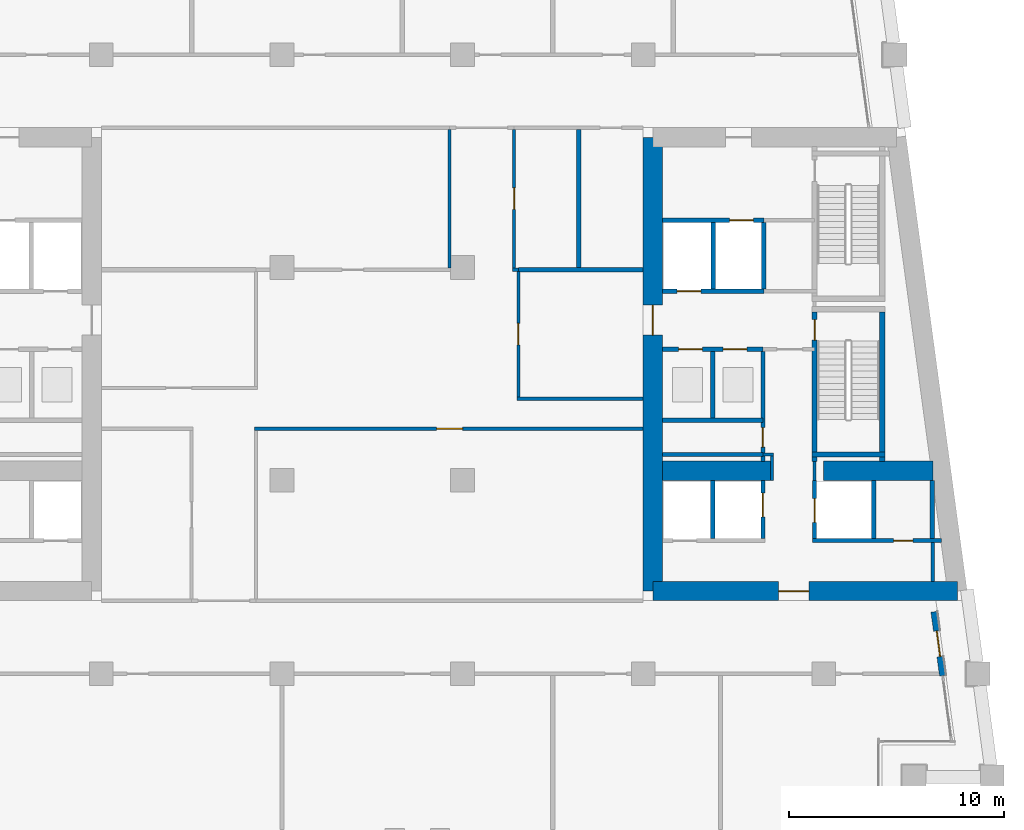
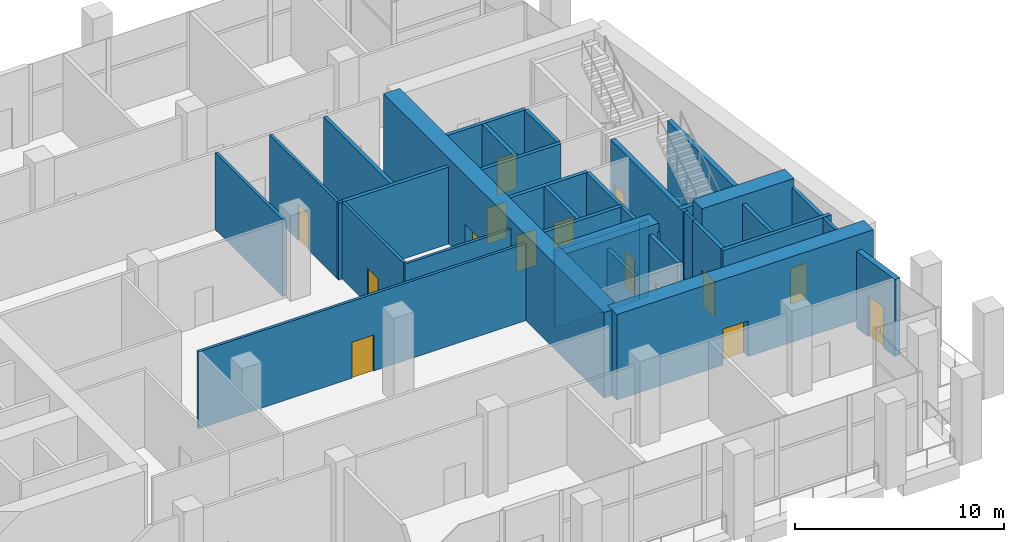
# One storey, part 9 of 16: 35 walls, 15 doors, 15 openings.
"""IFC4 building model written with IfcOpenShell, lengths in metres."""

from ifc_helpers import new_model, si_unit, direction, frame, frame_2d, origin, place, context, subcontext, project, spatial, rectangle, extrude, material, layer, layer_set, type_object, element, fill, save


model = new_model("IFC4")

# Units and contexts
model_context = context("Model", 3, precision=1e-05, world=origin(), true_north=direction((0.0, 1.0)))
body_context = subcontext(model_context, "Body", "Model", "MODEL_VIEW")
ifc_project = project(units=[si_unit("LENGTHUNIT", "METRE"), si_unit("AREAUNIT", "SQUARE_METRE"), si_unit("VOLUMEUNIT", "CUBIC_METRE"), si_unit("PLANEANGLEUNIT", "RADIAN"), si_unit("MASSUNIT", "GRAM", prefix="KILO")], contexts=[model_context])

# Site, building, storey
site_placement = place(None, origin())
site = spatial("IfcSite", under=ifc_project, at=site_placement, CompositionType="ELEMENT")
building_placement = place(site_placement, origin())
building = spatial("IfcBuilding", under=site, at=building_placement, Name="Candeia Pilgrim Tower and Theatre", CompositionType="ELEMENT")
storey_placement = place(building_placement, frame((0.0, 0.0, 192.199951171875)))
storey = spatial("IfcBuildingStorey", under=building, at=storey_placement, Name="L46", CompositionType="ELEMENT", Elevation=192.199951171875)

# Wall, opening, door
ifc_material_1 = material(Name="Concrete C60/75", Category="concrete")
ifc_layer_1 = layer(ifc_material_1, 0.89990234375)
ifc_layer_set_1 = layer_set([ifc_layer_1], Name="Core wall 900 C60/75")
wall_type_1 = type_object("IfcWallType", Name="Core wall 900 C60/75", PredefinedType="SHEAR", material=ifc_layer_set_1)
wall_1_placement = place(storey_placement, frame((140.6162109375, 110.85009765625, 0.0), z_axis=(0.0, 0.0, 1.0), x_axis=(-1.0, 0.0, 0.0)))
wall_1 = element("IfcWall", 1, at=wall_1_placement, inside=storey, type_object=wall_type_1, Name="Core wall E3", PredefinedType="SHEAR", context=body_context, shape_type="SweptSolid", body=[
    extrude(rectangle(XDim=14.166259765625, YDim=0.89990234375, at=frame_2d((7.0830078125, 0.0))), origin(), (0.0, 0.0, 1.0), 5.0),
])
opening_1_placement = place(wall_1_placement, frame((6.911376953125, 0.0, 0.0)))
opening_1 = element("IfcOpeningElement", 2, at=opening_1_placement, cuts=wall_1, Name="Opening L46-D035", PredefinedType="OPENING", context=body_context, shape_type="SweptSolid", body=[
    extrude(rectangle(XDim=1.39990234375, YDim=2.10009765625, at=frame_2d((0.699951171875, 1.050048828125))), frame((0.0, 0.4599609375, 0.0), z_axis=(0.0, -1.0, 0.0), x_axis=(1.0, 0.0, 0.0)), (0.0, 0.0, 1.0), 0.919921875),
])
ifc_material_2 = material(Name="Steel fire door set", Category="steel")
door_type_1 = type_object("IfcDoorType", Name="D-1400-FD60", OperationType="NOTDEFINED", PredefinedType="DOOR", material=ifc_material_2)
door_1_placement = place(opening_1_placement, origin())
door_1 = element("IfcDoor", 3, at=door_1_placement, inside=storey, type_object=door_type_1, Name="Door L46-D035", OperationType="SINGLE_SWING_LEFT", OverallHeight=2.10009765625, OverallWidth=1.39990234375, PredefinedType="DOOR", context=body_context, shape_type="SweptSolid", body=[
    extrude(rectangle(XDim=1.39990234375, YDim=2.10009765625, at=frame_2d((0.699951171875, 1.050048828125))), frame((0.0, 0.02490234375, 0.0), z_axis=(0.0, -1.0, 0.0), x_axis=(1.0, 0.0, 0.0)), (0.0, 0.0, 1.0), 0.050048828125),
])
fill(opening_1, door_1)

wall_2_placement = place(storey_placement, frame((126.449951171875, 110.85009765625, 0.0), z_axis=(0.0, 0.0, 1.0), x_axis=(0.0, 1.0, 0.0)))
wall_2 = element("IfcWall", 4, at=wall_2_placement, inside=storey, type_object=wall_type_1, Name="Core wall E4", PredefinedType="SHEAR", context=body_context, shape_type="SweptSolid", body=[
    extrude(rectangle(XDim=21.099853515625, YDim=0.89990234375, at=frame_2d((10.5498046875, 0.0))), origin(), (0.0, 0.0, 1.0), 5.0),
])
opening_2_placement = place(wall_2_placement, frame((11.89990234375, 0.0, 0.0)))
opening_2 = element("IfcOpeningElement", 5, at=opening_2_placement, cuts=wall_2, Name="Opening L46-D037", PredefinedType="OPENING", context=body_context, shape_type="SweptSolid", body=[
    extrude(rectangle(XDim=1.39990234375, YDim=2.10009765625, at=frame_2d((0.699951171875, 1.050048828125))), frame((0.0, 0.4599609375, 0.0), z_axis=(0.0, -1.0, 0.0), x_axis=(1.0, 0.0, 0.0)), (0.0, 0.0, 1.0), 0.919921875),
])
door_2_placement = place(opening_2_placement, origin())
door_2 = element("IfcDoor", 6, at=door_2_placement, inside=storey, type_object=door_type_1, Name="Door L46-D037", OperationType="SINGLE_SWING_LEFT", OverallHeight=2.10009765625, OverallWidth=1.39990234375, PredefinedType="DOOR", context=body_context, shape_type="SweptSolid", body=[
    extrude(rectangle(XDim=1.39990234375, YDim=2.10009765625, at=frame_2d((0.699951171875, 1.050048828125))), frame((0.0, 0.02490234375, 0.0), z_axis=(0.0, -1.0, 0.0), x_axis=(1.0, 0.0, 0.0)), (0.0, 0.0, 1.0), 0.050048828125),
])
fill(opening_2, door_2)

# Walls
wall_3_placement = place(storey_placement, frame((126.89990234375, 116.449951171875, 0.0), z_axis=(0.0, 0.0, 1.0), x_axis=(1.0, 0.0, 0.0)))
element("IfcWall", 7, at=wall_3_placement, inside=storey, type_object=wall_type_1, Name="Core wall E5", PredefinedType="SHEAR", context=body_context, shape_type="SweptSolid", body=[
    extrude(rectangle(XDim=5.10009765625, YDim=0.89990234375, at=frame_2d((2.550048828125, 0.0))), origin(), (0.0, 0.0, 1.0), 5.0),
])
wall_4_placement = place(storey_placement, frame((134.39990234375, 116.449951171875, 0.0), z_axis=(0.0, 0.0, 1.0), x_axis=(1.0, 0.0, 0.0)))
element("IfcWall", 8, at=wall_4_placement, inside=storey, type_object=wall_type_1, Name="Core wall E6", PredefinedType="SHEAR", context=body_context, shape_type="SweptSolid", body=[
    extrude(rectangle(XDim=5.076904296875, YDim=0.89990234375, at=frame_2d((2.53857421875, 0.0))), origin(), (0.0, 0.0, 1.0), 5.0),
])

# Wall, opening, door
ifc_material_3 = material(Name="Ceramic block masonry", Category="masonry")
ifc_layer_2 = layer(ifc_material_3, 0.300048828125)
ifc_layer_set_2 = layer_set([ifc_layer_2], Name="EW2 entrance infill wall 300")
wall_type_2 = type_object("IfcWallType", Name="EW2 entrance infill wall 300", PredefinedType="SOLIDWALL", material=ifc_layer_set_2)
wall_5_placement = place(storey_placement, frame((139.935302734375, 106.913330078125, 0.0), z_axis=(0.0, 0.0, 1.0), x_axis=(-0.133464275305, 0.991053624794, 0.0)))
wall_5 = element("IfcWall", 9, at=wall_5_placement, inside=storey, type_object=wall_type_2, Name="Infill wall L46", PredefinedType="SOLIDWALL", context=body_context, shape_type="SweptSolid", body=[
    extrude(rectangle(XDim=3.0, YDim=0.300048828125, at=frame_2d((1.5, 0.0))), origin(), (0.0, 0.0, 1.0), 4.5),
])
opening_3_placement = place(wall_5_placement, frame((0.89990234375, 0.0, 0.0)))
opening_3 = element("IfcOpeningElement", 10, at=opening_3_placement, cuts=wall_5, Name="Opening L46-ED441", PredefinedType="OPENING", context=body_context, shape_type="SweptSolid", body=[
    extrude(rectangle(XDim=1.199951171875, YDim=2.39990234375, at=frame_2d((0.60009765625, 1.199951171875))), frame((0.0, 0.16015625, 0.0), z_axis=(0.0, -1.0, 0.0), x_axis=(1.0, 0.0, 0.0)), (0.0, 0.0, 1.0), 0.320068359375),
])
ifc_material_4 = material(Name="Aluminium framed glazed door", Category="aluminium")
door_type_2 = type_object("IfcDoorType", Name="Loggia door 1200x2400", OperationType="DOUBLE_DOOR_SINGLE_SWING", PredefinedType="DOOR", material=ifc_material_4)
door_3_placement = place(opening_3_placement, origin())
door_3 = element("IfcDoor", 11, at=door_3_placement, inside=storey, type_object=door_type_2, Name="Loggia door L46-ED441", OperationType="DOUBLE_DOOR_SINGLE_SWING", OverallHeight=2.39990234375, OverallWidth=1.199951171875, PredefinedType="DOOR", context=body_context, shape_type="SweptSolid", body=[
    extrude(rectangle(XDim=1.199951171875, YDim=2.39990234375, at=frame_2d((0.60009765625, 1.199951171875))), frame((0.0, 0.02490234375, 0.0), z_axis=(0.0, -1.0, 0.0), x_axis=(1.0, 0.0, 0.0)), (0.0, 0.0, 1.0), 0.050048828125),
])
fill(opening_3, door_3)

# Wall
ifc_material_5 = material(Name="Gypsum board partition on steel studs", Category="steel")
ifc_layer_3 = layer(ifc_material_5, 0.14990234375)
ifc_layer_set_3 = layer_set([ifc_layer_3], Name="PW-150 lobby wall")
wall_type_3 = type_object("IfcWallType", Name="PW-150 lobby wall", PredefinedType="PARTITIONING", material=ifc_layer_set_3)
wall_6_placement = place(storey_placement, frame((131.572998046875, 117.199951171875, 0.0), z_axis=(0.0, 0.0, 1.0), x_axis=(1.0, 0.0, 0.0)))
element("IfcWall", 12, at=wall_6_placement, inside=storey, type_object=wall_type_3, Name="Lobby wall L46-012", PredefinedType="PARTITIONING", context=body_context, shape_type="SweptSolid", body=[
    extrude(rectangle(XDim=0.501953125, YDim=0.14990234375, at=frame_2d((0.2509765625, 0.0))), origin(), (0.0, 0.0, 1.0), 4.5),
])

# Wall, opening, door
wall_7_placement = place(storey_placement, frame((107.925048828125, 118.39990234375, 0.0), z_axis=(0.0, 0.0, 1.0), x_axis=(1.0, 0.0, 0.0)))
wall_7 = element("IfcWall", 13, at=wall_7_placement, inside=storey, type_object=wall_type_3, Name="Lobby wall L46-016", PredefinedType="PARTITIONING", context=body_context, shape_type="SweptSolid", body=[
    extrude(rectangle(XDim=18.074951171875, YDim=0.14990234375, at=frame_2d((9.03759765625, 0.0))), origin(), (0.0, 0.0, 1.0), 4.5),
])
opening_4_placement = place(wall_7_placement, frame((8.47509765625, 0.0, 0.0)))
opening_4 = element("IfcOpeningElement", 14, at=opening_4_placement, cuts=wall_7, Name="Opening L46-D006", PredefinedType="OPENING", context=body_context, shape_type="SweptSolid", body=[
    extrude(rectangle(XDim=1.199951171875, YDim=2.10009765625, at=frame_2d((0.60009765625, 1.050048828125))), frame((0.0, 0.0849609375, 0.0), z_axis=(0.0, -1.0, 0.0), x_axis=(1.0, 0.0, 0.0)), (0.0, 0.0, 1.0), 0.169921875),
])
door_type_3 = type_object("IfcDoorType", Name="D-1200-FD30S", OperationType="NOTDEFINED", PredefinedType="DOOR", material=ifc_material_2)
door_4_placement = place(opening_4_placement, origin())
door_4 = element("IfcDoor", 15, at=door_4_placement, inside=storey, type_object=door_type_3, Name="Door L46-D006", OperationType="SINGLE_SWING_RIGHT", OverallHeight=2.10009765625, OverallWidth=1.199951171875, PredefinedType="DOOR", context=body_context, shape_type="SweptSolid", body=[
    extrude(rectangle(XDim=1.199951171875, YDim=2.10009765625, at=frame_2d((0.60009765625, 1.050048828125))), frame((0.0, 0.02490234375, 0.0), z_axis=(0.0, -1.0, 0.0), x_axis=(1.0, 0.0, 0.0)), (0.0, 0.0, 1.0), 0.050048828125),
])
fill(opening_4, door_4)

# Walls
wall_8_placement = place(storey_placement, frame((120.125, 119.800048828125, 0.0), z_axis=(0.0, 0.0, 1.0), x_axis=(1.0, 0.0, 0.0)))
element("IfcWall", 16, at=wall_8_placement, inside=storey, type_object=wall_type_3, Name="Lobby wall L46-019", PredefinedType="PARTITIONING", context=body_context, shape_type="SweptSolid", body=[
    extrude(rectangle(XDim=5.875, YDim=0.14990234375, at=frame_2d((2.9375, 0.0))), origin(), (0.0, 0.0, 1.0), 4.5),
])
wall_9_placement = place(storey_placement, frame((119.925048828125, 125.800048828125, 0.0), z_axis=(0.0, 0.0, 1.0), x_axis=(1.0, 0.0, 0.0)))
element("IfcWall", 17, at=wall_9_placement, inside=storey, type_object=wall_type_3, Name="Lobby wall L46-033", PredefinedType="PARTITIONING", context=body_context, shape_type="SweptSolid", body=[
    extrude(rectangle(XDim=0.27490234375, YDim=0.14990234375, at=frame_2d((0.137451171875, 0.0))), origin(), (0.0, 0.0, 1.0), 4.5),
])
wall_10_placement = place(storey_placement, frame((117.0, 125.875, 0.0), z_axis=(0.0, 0.0, 1.0), x_axis=(0.0, 1.0, 0.0)))
element("IfcWall", 18, at=wall_10_placement, inside=storey, type_object=wall_type_3, Name="Lobby wall L46-069", PredefinedType="PARTITIONING", context=body_context, shape_type="SweptSolid", body=[
    extrude(rectangle(XDim=6.449951171875, YDim=0.14990234375, at=frame_2d((3.22509765625, 0.0))), origin(), (0.0, 0.0, 1.0), 4.5),
])

# Wall, opening, door
wall_11_placement = place(storey_placement, frame((120.0, 125.875, 0.0), z_axis=(0.0, 0.0, 1.0), x_axis=(0.0, 1.0, 0.0)))
wall_11 = element("IfcWall", 19, at=wall_11_placement, inside=storey, type_object=wall_type_3, Name="Lobby wall L46-070", PredefinedType="PARTITIONING", context=body_context, shape_type="SweptSolid", body=[
    extrude(rectangle(XDim=6.449951171875, YDim=0.14990234375, at=frame_2d((3.22509765625, 0.0))), origin(), (0.0, 0.0, 1.0), 4.5),
])
opening_5_placement = place(wall_11_placement, frame((2.72509765625, 0.0, 0.0)))
opening_5 = element("IfcOpeningElement", 20, at=opening_5_placement, cuts=wall_11, Name="Opening L46-D008", PredefinedType="OPENING", context=body_context, shape_type="SweptSolid", body=[
    extrude(rectangle(XDim=1.0, YDim=2.10009765625, at=frame_2d((0.5, 1.050048828125))), frame((0.0, 0.0849609375, 0.0), z_axis=(0.0, -1.0, 0.0), x_axis=(1.0, 0.0, 0.0)), (0.0, 0.0, 1.0), 0.169921875),
])
door_type_4 = type_object("IfcDoorType", Name="D-1000-FD30S", OperationType="NOTDEFINED", PredefinedType="DOOR", material=ifc_material_2)
door_5_placement = place(opening_5_placement, origin())
door_5 = element("IfcDoor", 21, at=door_5_placement, inside=storey, type_object=door_type_4, Name="Door L46-D008", OperationType="SINGLE_SWING_RIGHT", OverallHeight=2.10009765625, OverallWidth=1.0, PredefinedType="DOOR", context=body_context, shape_type="SweptSolid", body=[
    extrude(rectangle(XDim=1.0, YDim=2.10009765625, at=frame_2d((0.5, 1.050048828125))), frame((0.0, 0.02490234375, 0.0), z_axis=(0.0, -1.0, 0.0), x_axis=(1.0, 0.0, 0.0)), (0.0, 0.0, 1.0), 0.050048828125),
])
fill(opening_5, door_5)

wall_12_placement = place(storey_placement, frame((120.199951171875, 119.875, 0.0), z_axis=(0.0, 0.0, 1.0), x_axis=(0.0, 1.0, 0.0)))
wall_12 = element("IfcWall", 22, at=wall_12_placement, inside=storey, type_object=wall_type_3, Name="Lobby wall L46-071", PredefinedType="PARTITIONING", context=body_context, shape_type="SweptSolid", body=[
    extrude(rectangle(XDim=5.85009765625, YDim=0.14990234375, at=frame_2d((2.925048828125, 0.0))), origin(), (0.0, 0.0, 1.0), 4.5),
])
opening_6_placement = place(wall_12_placement, frame((2.425048828125, 0.0, 0.0)))
opening_6 = element("IfcOpeningElement", 23, at=opening_6_placement, cuts=wall_12, Name="Opening L46-D002", PredefinedType="OPENING", context=body_context, shape_type="SweptSolid", body=[
    extrude(rectangle(XDim=1.0, YDim=2.10009765625, at=frame_2d((0.5, 1.050048828125))), frame((0.0, 0.0849609375, 0.0), z_axis=(0.0, -1.0, 0.0), x_axis=(1.0, 0.0, 0.0)), (0.0, 0.0, 1.0), 0.169921875),
])
door_6_placement = place(opening_6_placement, origin())
door_6 = element("IfcDoor", 24, at=door_6_placement, inside=storey, type_object=door_type_4, Name="Door L46-D002", OperationType="SINGLE_SWING_RIGHT", OverallHeight=2.10009765625, OverallWidth=1.0, PredefinedType="DOOR", context=body_context, shape_type="SweptSolid", body=[
    extrude(rectangle(XDim=1.0, YDim=2.10009765625, at=frame_2d((0.5, 1.050048828125))), frame((0.0, 0.02490234375, 0.0), z_axis=(0.0, -1.0, 0.0), x_axis=(1.0, 0.0, 0.0)), (0.0, 0.0, 1.0), 0.050048828125),
])
fill(opening_6, door_6)

# Walls
wall_13_placement = place(storey_placement, frame((132.0, 116.0, 0.0), z_axis=(0.0, 0.0, 1.0), x_axis=(0.0, 1.0, 0.0)))
element("IfcWall", 25, at=wall_13_placement, inside=storey, type_object=wall_type_3, Name="Lobby wall L46-083", PredefinedType="PARTITIONING", context=body_context, shape_type="SweptSolid", body=[
    extrude(rectangle(XDim=1.125, YDim=0.14990234375, at=frame_2d((0.5625, 0.0))), origin(), (0.0, 0.0, 1.0), 4.5),
])
wall_14_placement = place(storey_placement, frame((133.972900390625, 116.0, 0.0), z_axis=(0.0, 0.0, 1.0), x_axis=(0.0, 1.0, 0.0)))
element("IfcWall", 26, at=wall_14_placement, inside=storey, type_object=wall_type_3, Name="Lobby wall L46-085", PredefinedType="PARTITIONING", context=body_context, shape_type="SweptSolid", body=[
    extrude(rectangle(XDim=0.8701171875, YDim=0.14990234375, at=frame_2d((0.43505859375, 0.0))), origin(), (0.0, 0.0, 1.0), 4.5),
])
wall_15_placement = place(storey_placement, frame((139.471923828125, 111.300048828125, 0.0), z_axis=(0.0, 0.0, 1.0), x_axis=(0.0, 1.0, 0.0)))
element("IfcWall", 27, at=wall_15_placement, inside=storey, type_object=wall_type_3, Name="Lobby wall L46-093", PredefinedType="PARTITIONING", context=body_context, shape_type="SweptSolid", body=[
    extrude(rectangle(XDim=1.800048828125, YDim=0.14990234375, at=frame_2d((0.89990234375, 0.0))), origin(), (0.0, 0.0, 1.0), 4.5),
])
ifc_layer_4 = layer(ifc_material_5, 0.199951171875)
ifc_layer_set_4 = layer_set([ifc_layer_4], Name="PW-200 party wall")
wall_type_4 = type_object("IfcWallType", Name="PW-200 party wall", PredefinedType="PARTITIONING", material=ifc_layer_set_4)
wall_16_placement = place(storey_placement, frame((120.199951171875, 125.800048828125, 0.0), z_axis=(0.0, 0.0, 1.0), x_axis=(1.0, 0.0, 0.0)))
element("IfcWall", 28, at=wall_16_placement, inside=storey, type_object=wall_type_4, Name="Party wall L46-035", PredefinedType="PARTITIONING", context=body_context, shape_type="SweptSolid", body=[
    extrude(rectangle(XDim=5.800048828125, YDim=0.199951171875, at=frame_2d((2.89990234375, 0.0))), origin(), (0.0, 0.0, 1.0), 4.5),
])
wall_17_placement = place(storey_placement, frame((123.0, 125.89990234375, 0.0), z_axis=(0.0, 0.0, 1.0), x_axis=(0.0, 1.0, 0.0)))
element("IfcWall", 29, at=wall_17_placement, inside=storey, type_object=wall_type_4, Name="Party wall L46-074", PredefinedType="PARTITIONING", context=body_context, shape_type="SweptSolid", body=[
    extrude(rectangle(XDim=6.425048828125, YDim=0.199951171875, at=frame_2d((3.21240234375, 0.0))), origin(), (0.0, 0.0, 1.0), 4.5),
])

# Wall, opening, door
ifc_material_6 = material(Name="Concrete C40/50", Category="concrete")
ifc_layer_5 = layer(ifc_material_6, 0.199951171875)
ifc_layer_set_5 = layer_set([ifc_layer_5], Name="SW-200 shaft wall")
wall_type_5 = type_object("IfcWallType", Name="SW-200 shaft wall", PredefinedType="PARTITIONING", material=ifc_layer_set_5)
wall_18_placement = place(storey_placement, frame((133.873046875, 113.199951171875, 0.0), z_axis=(0.0, 0.0, 1.0), x_axis=(1.0, 0.0, 0.0)))
wall_18 = element("IfcWall", 30, at=wall_18_placement, inside=storey, type_object=wall_type_5, Name="Shaft wall L46-008", PredefinedType="PARTITIONING", context=body_context, shape_type="SweptSolid", body=[
    extrude(rectangle(XDim=6.002685546875, YDim=0.199951171875, at=frame_2d((3.00146484375, 0.0))), origin(), (0.0, 0.0, 1.0), 4.5),
])
opening_7_placement = place(wall_18_placement, frame((3.77392578125, 0.0, 0.0)))
opening_7 = element("IfcOpeningElement", 31, at=opening_7_placement, cuts=wall_18, Name="Opening L46-D031", PredefinedType="OPENING", context=body_context, shape_type="SweptSolid", body=[
    extrude(rectangle(XDim=0.89990234375, YDim=2.10009765625, at=frame_2d((0.449951171875, 1.050048828125))), frame((0.0, 0.10986328125, 0.0), z_axis=(0.0, -1.0, 0.0), x_axis=(1.0, 0.0, 0.0)), (0.0, 0.0, 1.0), 0.219970703125),
])
door_type_5 = type_object("IfcDoorType", Name="D-900-FD60", OperationType="NOTDEFINED", PredefinedType="DOOR", material=ifc_material_2)
door_7_placement = place(opening_7_placement, origin())
door_7 = element("IfcDoor", 32, at=door_7_placement, inside=storey, type_object=door_type_5, Name="Door L46-D031", OperationType="SINGLE_SWING_LEFT", OverallHeight=2.10009765625, OverallWidth=0.89990234375, PredefinedType="DOOR", context=body_context, shape_type="SweptSolid", body=[
    extrude(rectangle(XDim=0.89990234375, YDim=2.10009765625, at=frame_2d((0.449951171875, 1.050048828125))), frame((0.0, 0.02490234375, 0.0), z_axis=(0.0, -1.0, 0.0), x_axis=(1.0, 0.0, 0.0)), (0.0, 0.0, 1.0), 0.050048828125),
])
fill(opening_7, door_7)

# Walls
for number, where, z_axis, x_axis, name in (
    (33, (126.89990234375, 117.199951171875, 0.0), (0.0, 0.0, 1.0), (1.0, 0.0, 0.0), "Shaft wall L46-010"),
    (34, (126.89990234375, 118.800048828125, 0.0), (0.0, 0.0, 1.0), (1.0, 0.0, 0.0), "Shaft wall L46-018"),
):
    element("IfcWall", number, at=place(storey_placement, frame(where, z_axis=z_axis, x_axis=x_axis)), inside=storey, type_object=wall_type_5, Name=name, PredefinedType="PARTITIONING", context=body_context, shape_type="SweptSolid", body=[
        extrude(rectangle(XDim=4.673095703125, YDim=0.199951171875, at=frame_2d((2.33642578125, 0.0))), origin(), (0.0, 0.0, 1.0), 4.5),
    ])

# Wall, openings, doors
wall_19_placement = place(storey_placement, frame((126.89990234375, 122.10009765625, 0.0), z_axis=(0.0, 0.0, 1.0), x_axis=(1.0, 0.0, 0.0)))
wall_19 = element("IfcWall", 35, at=wall_19_placement, inside=storey, type_object=wall_type_5, Name="Shaft wall L46-022", PredefinedType="PARTITIONING", context=body_context, shape_type="SweptSolid", body=[
    extrude(rectangle(XDim=4.673095703125, YDim=0.199951171875, at=frame_2d((2.33642578125, 0.0))), origin(), (0.0, 0.0, 1.0), 4.5),
])
opening_8_placement = place(wall_19_placement, frame((2.821044921875, 0.0, 0.0)))
opening_8 = element("IfcOpeningElement", 36, at=opening_8_placement, cuts=wall_19, Name="Opening L46-LD06", PredefinedType="OPENING", context=body_context, shape_type="SweptSolid", body=[
    extrude(rectangle(XDim=1.10009765625, YDim=2.10009765625, at=frame_2d((0.550048828125, 1.050048828125))), frame((0.0, 0.10986328125, 0.0), z_axis=(0.0, -1.0, 0.0), x_axis=(1.0, 0.0, 0.0)), (0.0, 0.0, 1.0), 0.219970703125),
])
opening_9_placement = place(wall_19_placement, frame((0.751953125, 0.0, 0.0)))
opening_9 = element("IfcOpeningElement", 37, at=opening_9_placement, cuts=wall_19, Name="Opening L46-LD07", PredefinedType="OPENING", context=body_context, shape_type="SweptSolid", body=[
    extrude(rectangle(XDim=1.10009765625, YDim=2.10009765625, at=frame_2d((0.550048828125, 1.050048828125))), frame((0.0, 0.10986328125, 0.0), z_axis=(0.0, -1.0, 0.0), x_axis=(1.0, 0.0, 0.0)), (0.0, 0.0, 1.0), 0.219970703125),
])
ifc_material_7 = material(Name="Glazed aluminium landing door", Category="aluminium")
door_type_6 = type_object("IfcDoorType", Name="LD-1100-EI120", OperationType="SLIDING_TO_LEFT", PredefinedType="DOOR", material=ifc_material_7)
door_8_placement = place(opening_8_placement, origin())
door_8 = element("IfcDoor", 38, at=door_8_placement, inside=storey, type_object=door_type_6, Name="Landing door 06 L46", OperationType="SLIDING_TO_LEFT", OverallHeight=2.10009765625, OverallWidth=1.10009765625, PredefinedType="DOOR", context=body_context, shape_type="SweptSolid", body=[
    extrude(rectangle(XDim=1.10009765625, YDim=2.10009765625, at=frame_2d((0.550048828125, 1.050048828125))), frame((0.0, 0.02490234375, 0.0), z_axis=(0.0, -1.0, 0.0), x_axis=(1.0, 0.0, 0.0)), (0.0, 0.0, 1.0), 0.050048828125),
])
fill(opening_8, door_8)
door_9_placement = place(opening_9_placement, origin())
door_9 = element("IfcDoor", 39, at=door_9_placement, inside=storey, type_object=door_type_6, Name="Landing door 07 L46", OperationType="SLIDING_TO_LEFT", OverallHeight=2.10009765625, OverallWidth=1.10009765625, PredefinedType="DOOR", context=body_context, shape_type="SweptSolid", body=[
    extrude(rectangle(XDim=1.10009765625, YDim=2.10009765625, at=frame_2d((0.550048828125, 1.050048828125))), frame((0.0, 0.02490234375, 0.0), z_axis=(0.0, -1.0, 0.0), x_axis=(1.0, 0.0, 0.0)), (0.0, 0.0, 1.0), 0.050048828125),
])
fill(opening_9, door_9)

# Wall, opening, door
wall_20_placement = place(storey_placement, frame((126.89990234375, 124.800048828125, 0.0), z_axis=(0.0, 0.0, 1.0), x_axis=(1.0, 0.0, 0.0)))
wall_20 = element("IfcWall", 40, at=wall_20_placement, inside=storey, type_object=wall_type_5, Name="Shaft wall L46-030", PredefinedType="PARTITIONING", context=body_context, shape_type="SweptSolid", body=[
    extrude(rectangle(XDim=4.71533203125, YDim=0.199951171875, at=frame_2d((2.357666015625, 0.0))), origin(), (0.0, 0.0, 1.0), 4.5),
])
opening_10_placement = place(wall_20_placement, frame((0.68505859375, 0.0, 0.0)))
opening_10 = element("IfcOpeningElement", 41, at=opening_10_placement, cuts=wall_20, Name="Opening L46-LD09", PredefinedType="OPENING", context=body_context, shape_type="SweptSolid", body=[
    extrude(rectangle(XDim=1.10009765625, YDim=2.10009765625, at=frame_2d((0.550048828125, 1.050048828125))), frame((0.0, 0.10986328125, 0.0), z_axis=(0.0, -1.0, 0.0), x_axis=(1.0, 0.0, 0.0)), (0.0, 0.0, 1.0), 0.219970703125),
])
door_10_placement = place(opening_10_placement, origin())
door_10 = element("IfcDoor", 42, at=door_10_placement, inside=storey, type_object=door_type_6, Name="Landing door 09 L46", OperationType="SLIDING_TO_LEFT", OverallHeight=2.10009765625, OverallWidth=1.10009765625, PredefinedType="DOOR", context=body_context, shape_type="SweptSolid", body=[
    extrude(rectangle(XDim=1.10009765625, YDim=2.10009765625, at=frame_2d((0.550048828125, 1.050048828125))), frame((0.0, 0.02490234375, 0.0), z_axis=(0.0, -1.0, 0.0), x_axis=(1.0, 0.0, 0.0)), (0.0, 0.0, 1.0), 0.050048828125),
])
fill(opening_10, door_10)

wall_21_placement = place(storey_placement, frame((126.89990234375, 128.10009765625, 0.0), z_axis=(0.0, 0.0, 1.0), x_axis=(1.0, 0.0, 0.0)))
wall_21 = element("IfcWall", 43, at=wall_21_placement, inside=storey, type_object=wall_type_5, Name="Shaft wall L46-037", PredefinedType="PARTITIONING", context=body_context, shape_type="SweptSolid", body=[
    extrude(rectangle(XDim=4.71533203125, YDim=0.199951171875, at=frame_2d((2.357666015625, 0.0))), origin(), (0.0, 0.0, 1.0), 4.5),
])
opening_11_placement = place(wall_21_placement, frame((3.1259765625, 0.0, 0.0)))
opening_11 = element("IfcOpeningElement", 44, at=opening_11_placement, cuts=wall_21, Name="Opening L46-LD08", PredefinedType="OPENING", context=body_context, shape_type="SweptSolid", body=[
    extrude(rectangle(XDim=1.10009765625, YDim=2.10009765625, at=frame_2d((0.550048828125, 1.050048828125))), frame((0.0, 0.10986328125, 0.0), z_axis=(0.0, -1.0, 0.0), x_axis=(1.0, 0.0, 0.0)), (0.0, 0.0, 1.0), 0.219970703125),
])
door_11_placement = place(opening_11_placement, origin())
door_11 = element("IfcDoor", 45, at=door_11_placement, inside=storey, type_object=door_type_6, Name="Landing door 08 L46", OperationType="SLIDING_TO_LEFT", OverallHeight=2.10009765625, OverallWidth=1.10009765625, PredefinedType="DOOR", context=body_context, shape_type="SweptSolid", body=[
    extrude(rectangle(XDim=1.10009765625, YDim=2.10009765625, at=frame_2d((0.550048828125, 1.050048828125))), frame((0.0, 0.02490234375, 0.0), z_axis=(0.0, -1.0, 0.0), x_axis=(1.0, 0.0, 0.0)), (0.0, 0.0, 1.0), 0.050048828125),
])
fill(opening_11, door_11)

# Walls
wall_22_placement = place(storey_placement, frame((129.236572265625, 113.300048828125, 0.0), z_axis=(0.0, 0.0, 1.0), x_axis=(0.0, 1.0, 0.0)))
element("IfcWall", 46, at=wall_22_placement, inside=storey, type_object=wall_type_5, Name="Shaft wall L46-076", PredefinedType="PARTITIONING", context=body_context, shape_type="SweptSolid", body=[
    extrude(rectangle(XDim=2.699951171875, YDim=0.199951171875, at=frame_2d((1.35009765625, 0.0))), origin(), (0.0, 0.0, 1.0), 4.5),
])
for number, where, z_axis, x_axis, name in (
    (47, (129.236572265625, 118.89990234375, 0.0), (0.0, 0.0, 1.0), (0.0, 1.0, 0.0), "Shaft wall L46-077"),
    (48, (129.2578125, 124.89990234375, 0.0), (0.0, 0.0, 1.0), (0.0, 1.0, 0.0), "Shaft wall L46-078"),
):
    element("IfcWall", number, at=place(storey_placement, frame(where, z_axis=z_axis, x_axis=x_axis)), inside=storey, type_object=wall_type_5, Name=name, PredefinedType="PARTITIONING", context=body_context, shape_type="SweptSolid", body=[
        extrude(rectangle(XDim=3.10009765625, YDim=0.199951171875, at=frame_2d((1.550048828125, 0.0))), origin(), (0.0, 0.0, 1.0), 4.5),
    ])

# Wall, opening, door
wall_23_placement = place(storey_placement, frame((131.572998046875, 113.300048828125, 0.0), z_axis=(0.0, 0.0, 1.0), x_axis=(0.0, 1.0, 0.0)))
wall_23 = element("IfcWall", 49, at=wall_23_placement, inside=storey, type_object=wall_type_5, Name="Shaft wall L46-080", PredefinedType="PARTITIONING", context=body_context, shape_type="SweptSolid", body=[
    extrude(rectangle(XDim=2.699951171875, YDim=0.199951171875, at=frame_2d((1.35009765625, 0.0))), origin(), (0.0, 0.0, 1.0), 4.5),
])
opening_12_placement = place(wall_23_placement, frame((1.0, 0.0, 0.0)))
opening_12 = element("IfcOpeningElement", 50, at=opening_12_placement, cuts=wall_23, Name="Opening L46-LD11", PredefinedType="OPENING", context=body_context, shape_type="SweptSolid", body=[
    extrude(rectangle(XDim=1.10009765625, YDim=2.10009765625, at=frame_2d((0.550048828125, 1.050048828125))), frame((0.0, 0.10986328125, 0.0), z_axis=(0.0, -1.0, 0.0), x_axis=(1.0, 0.0, 0.0)), (0.0, 0.0, 1.0), 0.219970703125),
])
door_12_placement = place(opening_12_placement, origin())
door_12 = element("IfcDoor", 51, at=door_12_placement, inside=storey, type_object=door_type_6, Name="Landing door 11 L46", OperationType="SLIDING_TO_LEFT", OverallHeight=2.10009765625, OverallWidth=1.10009765625, PredefinedType="DOOR", context=body_context, shape_type="SweptSolid", body=[
    extrude(rectangle(XDim=1.10009765625, YDim=2.10009765625, at=frame_2d((0.550048828125, 1.050048828125))), frame((0.0, 0.02490234375, 0.0), z_axis=(0.0, -1.0, 0.0), x_axis=(1.0, 0.0, 0.0)), (0.0, 0.0, 1.0), 0.050048828125),
])
fill(opening_12, door_12)

wall_24_placement = place(storey_placement, frame((131.572998046875, 116.8701171875, 0.0), z_axis=(0.0, 0.0, 1.0), x_axis=(0.0, 1.0, 0.0)))
wall_24 = element("IfcWall", 52, at=wall_24_placement, inside=storey, type_object=wall_type_5, Name="Shaft wall L46-081", PredefinedType="PARTITIONING", context=body_context, shape_type="SweptSolid", body=[
    extrude(rectangle(XDim=5.1298828125, YDim=0.199951171875, at=frame_2d((2.56494140625, 0.0))), origin(), (0.0, 0.0, 1.0), 4.5),
])
opening_13_placement = place(wall_24_placement, frame((0.679931640625, 0.0, 0.0)))
opening_13 = element("IfcOpeningElement", 53, at=opening_13_placement, cuts=wall_24, Name="Opening L46-D030", PredefinedType="OPENING", context=body_context, shape_type="SweptSolid", body=[
    extrude(rectangle(XDim=0.89990234375, YDim=2.10009765625, at=frame_2d((0.449951171875, 1.050048828125))), frame((0.0, 0.10986328125, 0.0), z_axis=(0.0, -1.0, 0.0), x_axis=(1.0, 0.0, 0.0)), (0.0, 0.0, 1.0), 0.219970703125),
])
door_13_placement = place(opening_13_placement, origin())
door_13 = element("IfcDoor", 54, at=door_13_placement, inside=storey, type_object=door_type_5, Name="Door L46-D030", OperationType="SINGLE_SWING_LEFT", OverallHeight=2.10009765625, OverallWidth=0.89990234375, PredefinedType="DOOR", context=body_context, shape_type="SweptSolid", body=[
    extrude(rectangle(XDim=0.89990234375, YDim=2.10009765625, at=frame_2d((0.449951171875, 1.050048828125))), frame((0.0, 0.02490234375, 0.0), z_axis=(0.0, -1.0, 0.0), x_axis=(1.0, 0.0, 0.0)), (0.0, 0.0, 1.0), 0.050048828125),
])
fill(opening_13, door_13)

# Wall
wall_25_placement = place(storey_placement, frame((131.615234375, 124.89990234375, 0.0), z_axis=(0.0, 0.0, 1.0), x_axis=(0.0, 1.0, 0.0)))
element("IfcWall", 55, at=wall_25_placement, inside=storey, type_object=wall_type_5, Name="Shaft wall L46-082", PredefinedType="PARTITIONING", context=body_context, shape_type="SweptSolid", body=[
    extrude(rectangle(XDim=3.10009765625, YDim=0.199951171875, at=frame_2d((1.550048828125, 0.0))), origin(), (0.0, 0.0, 1.0), 4.5),
])

# Wall, opening, door
wall_26_placement = place(storey_placement, frame((133.972900390625, 113.300048828125, 0.0), z_axis=(0.0, 0.0, 1.0), x_axis=(0.0, 1.0, 0.0)))
wall_26 = element("IfcWall", 56, at=wall_26_placement, inside=storey, type_object=wall_type_5, Name="Shaft wall L46-084", PredefinedType="PARTITIONING", context=body_context, shape_type="SweptSolid", body=[
    extrude(rectangle(XDim=2.699951171875, YDim=0.199951171875, at=frame_2d((1.35009765625, 0.0))), origin(), (0.0, 0.0, 1.0), 4.5),
])
opening_14_placement = place(wall_26_placement, frame((0.75, 0.0, 0.0)))
opening_14 = element("IfcOpeningElement", 57, at=opening_14_placement, cuts=wall_26, Name="Opening L46-LD10", PredefinedType="OPENING", context=body_context, shape_type="SweptSolid", body=[
    extrude(rectangle(XDim=1.10009765625, YDim=2.10009765625, at=frame_2d((0.550048828125, 1.050048828125))), frame((0.0, 0.10986328125, 0.0), z_axis=(0.0, -1.0, 0.0), x_axis=(1.0, 0.0, 0.0)), (0.0, 0.0, 1.0), 0.219970703125),
])
door_14_placement = place(opening_14_placement, origin())
door_14 = element("IfcDoor", 58, at=door_14_placement, inside=storey, type_object=door_type_6, Name="Landing door 10 L46", OperationType="SLIDING_TO_LEFT", OverallHeight=2.10009765625, OverallWidth=1.10009765625, PredefinedType="DOOR", context=body_context, shape_type="SweptSolid", body=[
    extrude(rectangle(XDim=1.10009765625, YDim=2.10009765625, at=frame_2d((0.550048828125, 1.050048828125))), frame((0.0, 0.02490234375, 0.0), z_axis=(0.0, -1.0, 0.0), x_axis=(1.0, 0.0, 0.0)), (0.0, 0.0, 1.0), 0.050048828125),
])
fill(opening_14, door_14)

# Walls
for number, where, z_axis, x_axis, name in (
    (59, (136.722412109375, 113.300048828125, 0.0), (0.0, 0.0, 1.0), (0.0, 1.0, 0.0), "Shaft wall L46-089"),
    (60, (139.44970703125, 113.300048828125, 0.0), (0.0, 0.0, 1.0), (0.0, 1.0, 0.0), "Shaft wall L46-092"),
):
    element("IfcWall", number, at=place(storey_placement, frame(where, z_axis=z_axis, x_axis=x_axis)), inside=storey, type_object=wall_type_5, Name=name, PredefinedType="PARTITIONING", context=body_context, shape_type="SweptSolid", body=[
        extrude(rectangle(XDim=2.699951171875, YDim=0.199951171875, at=frame_2d((1.35009765625, 0.0))), origin(), (0.0, 0.0, 1.0), 4.5),
    ])
ifc_layer_6 = layer(ifc_material_6, 0.25)
ifc_layer_set_6 = layer_set([ifc_layer_6], Name="SW-250 stair wall")
wall_type_6 = type_object("IfcWallType", Name="SW-250 stair wall", PredefinedType="PARTITIONING", material=ifc_layer_set_6)
wall_27_placement = place(storey_placement, frame((133.847900390625, 117.199951171875, 0.0), z_axis=(0.0, 0.0, 1.0), x_axis=(1.0, 0.0, 0.0)))
element("IfcWall", 61, at=wall_27_placement, inside=storey, type_object=wall_type_6, Name="Stair wall L46-014", PredefinedType="PARTITIONING", context=body_context, shape_type="SweptSolid", body=[
    extrude(rectangle(XDim=3.400146484375, YDim=0.25, at=frame_2d((1.7001953125, 0.0))), origin(), (0.0, 0.0, 1.0), 4.5),
])

# Wall, opening, door
wall_28_placement = place(storey_placement, frame((133.972900390625, 116.8701171875, 0.0), z_axis=(0.0, 0.0, 1.0), x_axis=(0.0, 1.0, 0.0)))
wall_28 = element("IfcWall", 62, at=wall_28_placement, inside=storey, type_object=wall_type_6, Name="Stair wall L46-087", PredefinedType="PARTITIONING", context=body_context, shape_type="SweptSolid", body=[
    extrude(rectangle(XDim=6.954833984375, YDim=0.25, at=frame_2d((3.4775390625, 0.0))), origin(), (0.0, 0.0, 1.0), 4.5),
])
opening_15_placement = place(wall_28_placement, frame((5.655029296875, 0.0, 0.0)))
opening_15 = element("IfcOpeningElement", 63, at=opening_15_placement, cuts=wall_28, Name="Opening L46-D028", PredefinedType="OPENING", context=body_context, shape_type="SweptSolid", body=[
    extrude(rectangle(XDim=0.949951171875, YDim=2.10009765625, at=frame_2d((0.47509765625, 1.050048828125))), frame((0.0, 0.135009765625, 0.0), z_axis=(0.0, -1.0, 0.0), x_axis=(1.0, 0.0, 0.0)), (0.0, 0.0, 1.0), 0.27001953125),
])
door_type_7 = type_object("IfcDoorType", Name="D-950-FD60", OperationType="NOTDEFINED", PredefinedType="DOOR", material=ifc_material_2)
door_15_placement = place(opening_15_placement, origin())
door_15 = element("IfcDoor", 64, at=door_15_placement, inside=storey, type_object=door_type_7, Name="Door L46-D028", OperationType="SINGLE_SWING_LEFT", OverallHeight=2.10009765625, OverallWidth=0.949951171875, PredefinedType="DOOR", context=body_context, shape_type="SweptSolid", body=[
    extrude(rectangle(XDim=0.949951171875, YDim=2.10009765625, at=frame_2d((0.47509765625, 1.050048828125))), frame((0.0, 0.02490234375, 0.0), z_axis=(0.0, -1.0, 0.0), x_axis=(1.0, 0.0, 0.0)), (0.0, 0.0, 1.0), 0.050048828125),
])
fill(opening_15, door_15)

# Wall
wall_29_placement = place(storey_placement, frame((137.123046875, 116.8701171875, 0.0), z_axis=(0.0, 0.0, 1.0), x_axis=(0.0, 1.0, 0.0)))
element("IfcWall", 65, at=wall_29_placement, inside=storey, type_object=wall_type_6, Name="Stair wall L46-090", PredefinedType="PARTITIONING", context=body_context, shape_type="SweptSolid", body=[
    extrude(rectangle(XDim=6.954833984375, YDim=0.25, at=frame_2d((3.4775390625, 0.0))), origin(), (0.0, 0.0, 1.0), 4.5),
])

save(model, "model.ifc")
